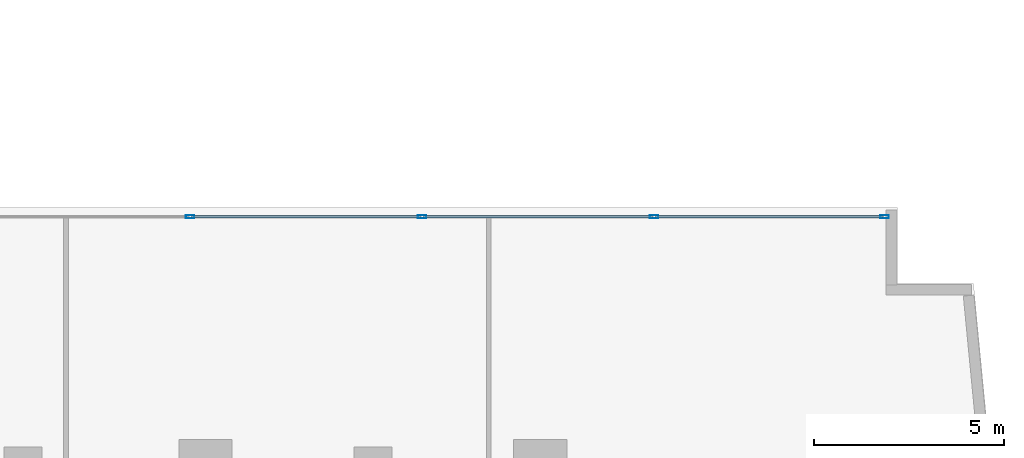
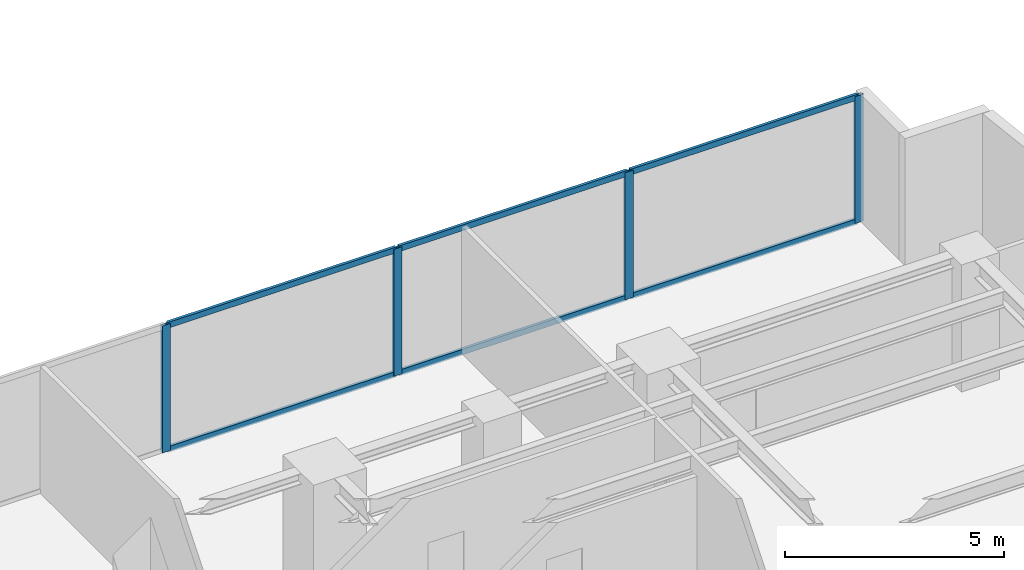
# One storey, part 15 of 28: 10 members, 1 element without a shape of its own.
"""IFC4 building model written with IfcOpenShell, lengths in metres."""

import ifcopenshell
import ifcopenshell.guid

model = None  # the IFC model being written
_history = None  # IfcOwnerHistory: only IFC2X3 demands one
_inside = {}  # id of a spatial element -> (the spatial element, [elements in it])
_under = {}  # id of a project, library or spatial element -> (it, [spatial elements below it])
_declared = {}  # id of a project -> (the project, [libraries it declares])
_typed = {}  # id of a type object -> (the type object, [elements of that type])
_made_of = {}  # id of a material, layer set ... -> (it, [elements and type objects made of it])


def new_model(schema):
    """Start an empty IFC model of exactly this schema.

    Asked for "IFC4X3", IfcOpenShell would pick the latest addendum, in which some entities
    have other attributes; the version numbers below select the first issue.
    IFC2X3 requires an IfcOwnerHistory on every rooted entity: one is made here for all.
    """
    global model, _history
    if schema == "IFC4X3":
        model = ifcopenshell.file(schema_version=(4, 3, 0, 0))
    else:
        model = ifcopenshell.file(schema=schema)
    _inside.clear()
    _under.clear()
    _declared.clear()
    _typed.clear()
    _made_of.clear()
    _history = None
    if model.schema == "IFC2X3":
        org = make("IfcOrganization", Name="unknown")
        user = make(
            "IfcPersonAndOrganization",
            ThePerson=make("IfcPerson", FamilyName="unknown"),
            TheOrganization=org,
        )
        app = make(
            "IfcApplication",
            ApplicationDeveloper=org,
            Version="unknown",
            ApplicationFullName="unknown",
            ApplicationIdentifier="unknown",
        )
        _history = make(
            "IfcOwnerHistory",
            OwningUser=user,
            OwningApplication=app,
            ChangeAction="ADDED",
            CreationDate=0,
        )
    return model


def make(cls, **values):
    """One entity of the class cls with the attributes given. An attribute that is None is left unset."""
    return model.create_entity(
        cls, **{name: value for name, value in values.items() if value is not None}
    )


def rooted(cls, **values):
    """An entity with a GlobalId (a new one), such as an element, a storey or a relation."""
    return make(cls, GlobalId=ifcopenshell.guid.new(), OwnerHistory=_history, **values)


def si_unit(unit_type, name, prefix=None):
    """IfcSIUnit, for example si_unit("LENGTHUNIT", "METRE", prefix="MILLI")."""
    return make("IfcSIUnit", UnitType=unit_type, Prefix=prefix, Name=name)


def assignment(units):
    """IfcUnitAssignment: the units of a project."""
    return None if units is None else make("IfcUnitAssignment", Units=units)


def point(xyz):
    """IfcCartesianPoint."""
    return None if xyz is None else make("IfcCartesianPoint", Coordinates=xyz)


def direction(xyz):
    """IfcDirection."""
    return None if xyz is None else make("IfcDirection", DirectionRatios=xyz)


def frame(location, z_axis=None, x_axis=None):
    """IfcAxis2Placement3D, a coordinate frame: its origin and axes. An axis left out is left unset."""
    return make(
        "IfcAxis2Placement3D",
        Location=point(location),
        Axis=direction(z_axis),
        RefDirection=direction(x_axis),
    )


def frame_2d(location, x_axis=None):
    """IfcAxis2Placement2D, a coordinate frame in the plane: its origin and x axis."""
    return make(
        "IfcAxis2Placement2D", Location=point(location), RefDirection=direction(x_axis)
    )


def origin():
    """The frame at (0, 0, 0) with its axes left unset."""
    return frame((0.0, 0.0, 0.0))


def origin_with_axes():
    """The frame at (0, 0, 0) with the z axis (0, 0, 1) and the x axis (1, 0, 0) written out."""
    return frame((0.0, 0.0, 0.0), z_axis=(0.0, 0.0, 1.0), x_axis=(1.0, 0.0, 0.0))


def origin_2d():
    """The frame at (0, 0) in the plane with its x axis left unset."""
    return frame_2d((0.0, 0.0))


def place(relative_to, where):
    """IfcLocalPlacement: puts the frame where relative to a parent placement (None: the world)."""
    return make(
        "IfcLocalPlacement", PlacementRelTo=relative_to, RelativePlacement=where
    )


def context(
    kind, dimensions, precision=None, world=None, true_north=None, identifier=None
):
    """IfcGeometricRepresentationContext, for example the 3D "Model" context."""
    return make(
        "IfcGeometricRepresentationContext",
        ContextIdentifier=identifier,
        ContextType=kind,
        CoordinateSpaceDimension=dimensions,
        Precision=precision,
        WorldCoordinateSystem=world,
        TrueNorth=true_north,
    )


def subcontext(parent, identifier, kind, view, scale=None):
    """IfcGeometricRepresentationSubContext, for example "Body" below "Model"."""
    return make(
        "IfcGeometricRepresentationSubContext",
        ContextIdentifier=identifier,
        ContextType=kind,
        ParentContext=parent,
        TargetScale=scale,
        TargetView=view,
    )


def project(units=None, contexts=None):
    """IfcProject with its units and contexts."""
    return rooted(
        "IfcProject",
        Name="project",
        RepresentationContexts=contexts,
        UnitsInContext=assignment(units),
    )


def spatial(cls, under=None, at=None, **own):
    """A site, building, storey or space (cls), placed at a placement, below another one or the project."""
    s = rooted(cls, ObjectPlacement=at, **own)
    if under is not None:
        _under.setdefault(under.id(), (under, []))[1].append(s)
    return s


def profile(cls, at=None, kind="AREA", **sizes):
    """A parametric profile (cls). Its sizes go by their IFC names, for example OverallWidth=200.0."""
    return make(cls, ProfileType=kind, Position=at, **sizes)


def hollow_rectangle(**sizes):
    """IfcRectangleHollowProfileDef."""
    return profile("IfcRectangleHollowProfileDef", **sizes)


def extrude(swept, where, along, depth):
    """IfcExtrudedAreaSolid: the profile swept, set in the frame where, extruded along a direction by depth."""
    return make(
        "IfcExtrudedAreaSolid",
        SweptArea=swept,
        Position=where,
        ExtrudedDirection=direction(along),
        Depth=depth,
    )


def shape(context_of_items, identifier, shape_type, items):
    """IfcShapeRepresentation: the items that make up one representation, for example the "Body"."""
    return make(
        "IfcShapeRepresentation",
        ContextOfItems=context_of_items,
        RepresentationIdentifier=identifier,
        RepresentationType=shape_type,
        Items=items,
    )


def source(mapping_origin, context_of_items, identifier, shape_type, items):
    """IfcRepresentationMap: a shape defined once, which mapped items show again and again."""
    return make(
        "IfcRepresentationMap",
        MappingOrigin=mapping_origin,
        MappedRepresentation=shape(context_of_items, identifier, shape_type, items),
    )


def transform(
    local_origin,
    x_axis=None,
    y_axis=None,
    z_axis=None,
    scale=None,
    scale2=None,
    scale3=None,
    uniform=True,
):
    """IfcCartesianTransformationOperator3D, or its non-uniform kind. x_axis, y_axis, z_axis: its Axis1, 2, 3."""
    if uniform:
        return make(
            "IfcCartesianTransformationOperator3D",
            Axis1=direction(x_axis),
            Axis2=direction(y_axis),
            LocalOrigin=point(local_origin),
            Scale=scale,
            Axis3=direction(z_axis),
        )
    return make(
        "IfcCartesianTransformationOperator3DnonUniform",
        Axis1=direction(x_axis),
        Axis2=direction(y_axis),
        LocalOrigin=point(local_origin),
        Scale=scale,
        Axis3=direction(z_axis),
        Scale2=scale2,
        Scale3=scale3,
    )


def mapped(mapping_source, mapping_target):
    """IfcMappedItem: shows the shape of a source again, moved by a transform."""
    return make(
        "IfcMappedItem", MappingSource=mapping_source, MappingTarget=mapping_target
    )


def material(Name=None, Category=None):
    """IfcMaterial."""
    return make("IfcMaterial", Name=Name, Category=Category)


def layer(
    of_material, thickness, ventilated=None, Name=None, Category=None, Priority=None
):
    """IfcMaterialLayer: one layer of a wall or slab, of a material (None: an air gap)."""
    return make(
        "IfcMaterialLayer",
        Material=of_material,
        LayerThickness=thickness,
        IsVentilated=ventilated,
        Name=Name,
        Category=Category,
        Priority=Priority,
    )


def layer_set(layers, Name=None):
    """IfcMaterialLayerSet."""
    return make("IfcMaterialLayerSet", MaterialLayers=layers, LayerSetName=Name)


def material_profile(
    of_material, cross_section, Name=None, Category=None, Priority=None
):
    """IfcMaterialProfile: a cross section and its material."""
    return make(
        "IfcMaterialProfile",
        Name=Name,
        Material=of_material,
        Profile=cross_section,
        Priority=Priority,
        Category=Category,
    )


def profile_set(profiles, Name=None, composite=None):
    """IfcMaterialProfileSet."""
    return make(
        "IfcMaterialProfileSet",
        Name=Name,
        MaterialProfiles=profiles,
        CompositeProfile=composite,
    )


def made_of(thing, what):
    """Note that an element or type object is made of a material, layer set ...; save() writes the relation."""
    if what is not None:
        _made_of.setdefault(what.id(), (what, []))[1].append(thing)
    return thing


def type_object(cls, material=None, **own):
    """A type object (cls), such as IfcWallType, which elements share."""
    return made_of(rooted(cls, **own), material)


def element(
    cls,
    number,
    at=None,
    inside=None,
    cuts=None,
    type_object=None,
    material=None,
    context=None,
    identifier="Body",
    shape_type=None,
    held_by="IfcProductDefinitionShape",
    body=None,
    shapes=None,
    **own,
):
    """One element of the class cls, such as IfcWall. Its Tag is "e" and its number.

    at: its placement. inside: the storey or other place that contains it. cuts: it is an
    opening in that element (IfcRelVoidsElement). A single representation is given by context,
    identifier, shape_type and body (its items); several are given by shapes. held_by: the class
    of the entity that holds the representations. save() writes the other relations.
    """
    e = rooted(cls, Tag="e%d" % number, ObjectPlacement=at, **own)
    if body is not None:
        shapes = [shape(context, identifier, shape_type, body)]
    if shapes is not None:
        e.Representation = make(held_by, Representations=shapes)
    if inside is not None:
        _inside.setdefault(inside.id(), (inside, []))[1].append(e)
    if cuts is not None:
        rooted(
            "IfcRelVoidsElement", RelatingBuildingElement=cuts, RelatedOpeningElement=e
        )
    if type_object is not None:
        _typed.setdefault(type_object.id(), (type_object, []))[1].append(e)
    return made_of(e, material)


def aggregate(whole, parts):
    """IfcRelAggregates: a whole, such as a stair, and the parts it consists of."""
    return rooted("IfcRelAggregates", RelatingObject=whole, RelatedObjects=parts)


def save(model, path):
    """Write the relations noted so far, then the file.

    IfcRelAggregates (storeys below a building ...), IfcRelContainedInSpatialStructure (elements
    in a storey), IfcRelDefinesByType, IfcRelAssociatesMaterial and IfcRelDeclares: one each for
    every whole, place, type object, material and project.
    """
    for whole, parts in _under.values():
        aggregate(whole, parts)
    for where, things in _inside.values():
        rooted(
            "IfcRelContainedInSpatialStructure",
            RelatedElements=things,
            RelatingStructure=where,
        )
    for kind, things in _typed.values():
        rooted("IfcRelDefinesByType", RelatedObjects=things, RelatingType=kind)
    for what, things in _made_of.values():
        rooted("IfcRelAssociatesMaterial", RelatedObjects=things, RelatingMaterial=what)
    for by, libraries in _declared.values():
        rooted("IfcRelDeclares", RelatingContext=by, RelatedDefinitions=libraries)
    model.write(path)


model = new_model("IFC4")

# Units and contexts
model_context = context("Model", 3, precision=1e-05, world=origin(), true_north=direction((0.0, 1.0)))
body_context = subcontext(model_context, "Body", "Model", "MODEL_VIEW")
ifc_project = project(units=[si_unit("LENGTHUNIT", "METRE"), si_unit("AREAUNIT", "SQUARE_METRE"), si_unit("VOLUMEUNIT", "CUBIC_METRE"), si_unit("PLANEANGLEUNIT", "RADIAN"), si_unit("MASSUNIT", "GRAM", prefix="KILO")], contexts=[model_context])

# Site, building, storey
site_placement = place(None, origin())
site = spatial("IfcSite", under=ifc_project, at=site_placement, CompositionType="ELEMENT")
building_placement = place(site_placement, origin())
building = spatial("IfcBuilding", under=site, at=building_placement, Name="Kolvaren Waterfront Exchange", CompositionType="ELEMENT")
storey_placement = place(building_placement, frame((0.0, 0.0, 114.5)))
storey = spatial("IfcBuildingStorey", under=building, at=storey_placement, Name="L29", CompositionType="ELEMENT", Elevation=114.5)

# Curtain wall, members
ifc_material_1 = material(Name="Anodised bronze aluminium 6063-T6", Category="aluminium")
ifc_layer = layer(ifc_material_1, 0.219970703125, Name="Anodised bronze aluminium 6063-T6")
ifc_layer_set = layer_set([ifc_layer], Name="Anodised bronze aluminium 6063-T6")
curtain_wall_type = type_object("IfcCurtainWallType", Name="ARC-CW-SYS1", PredefinedType="USERDEFINED", material=ifc_layer_set)
curtain_wall_placement = place(storey_placement, origin())
curtain_wall = element("IfcCurtainWall", 1, at=curtain_wall_placement, inside=storey, type_object=curtain_wall_type, Name="L29 stick curtain wall CW1 (CW-L29-EN)", ObjectType="STICK CURTAIN WALL", PredefinedType="USERDEFINED")
ifc_material_2 = material(Name="Anodised aluminium 6063-T6", Category="aluminium")
ifc_material_profile_1 = material_profile(ifc_material_2, hollow_rectangle(XDim=0.080078125, YDim=0.219970703125, WallThickness=0.0048828125, at=origin_2d()), Name="ALU-MUL-220x80x5")
ifc_profile_set_1 = profile_set([ifc_material_profile_1], Name="Anodised aluminium 6063-T6")
member_type_1 = type_object("IfcMemberType", Name="ARC-CWM-220", PredefinedType="MULLION", material=ifc_profile_set_1)
shared_shape_1 = source(origin_with_axes(), body_context, "Body", "SweptSolid", [
    extrude(hollow_rectangle(XDim=0.080078125, YDim=0.219970703125, WallThickness=0.0048828125, at=origin_2d()), origin(), (0.0, 0.0, 1.0), 3.5400390625),
])
member_1_placement = place(storey_placement, frame((36.392578125, 23.9599609375, 0.0), z_axis=(0.0, 0.0, 1.0), x_axis=(0.0, 1.0, 0.0)))
member_1 = element("IfcMember", 2, at=member_1_placement, type_object=member_type_1, Name="CW1 mullion 2", PredefinedType="MULLION", context=body_context, shape_type="MappedRepresentation", body=[
    mapped(shared_shape_1, transform((0.0, 0.0, 0.0), x_axis=(1.0, 0.0, 0.0), y_axis=(0.0, 1.0, 0.0), z_axis=(0.0, 0.0, 1.0), scale=1.0)),
])
member_2_placement = place(storey_placement, frame((42.4951171875, 23.9599609375, 0.0), z_axis=(0.0, 0.0, 1.0), x_axis=(0.0, 1.0, 0.0)))
member_2 = element("IfcMember", 3, at=member_2_placement, type_object=member_type_1, Name="CW1 mullion 3", PredefinedType="MULLION", context=body_context, shape_type="MappedRepresentation", body=[
    mapped(shared_shape_1, transform((0.0, 0.0, 0.0), x_axis=(1.0, 0.0, 0.0), y_axis=(0.0, 1.0, 0.0), z_axis=(0.0, 0.0, 1.0), scale=1.0)),
])
member_3_placement = place(storey_placement, frame((48.597412109375, 23.9599609375, 0.0), z_axis=(0.0, 0.0, 1.0), x_axis=(0.0, 1.0, 0.0)))
member_3 = element("IfcMember", 4, at=member_3_placement, type_object=member_type_1, Name="CW1 mullion 4", PredefinedType="MULLION", context=body_context, shape_type="MappedRepresentation", body=[
    mapped(shared_shape_1, transform((0.0, 0.0, 0.0), x_axis=(1.0, 0.0, 0.0), y_axis=(0.0, 1.0, 0.0), z_axis=(0.0, 0.0, 1.0), scale=1.0)),
])
member_4_placement = place(storey_placement, frame((54.659912109375, 23.9599609375, 0.0), z_axis=(0.0, 0.0, 1.0), x_axis=(0.0, 1.0, 0.0)))
member_4 = element("IfcMember", 5, at=member_4_placement, type_object=member_type_1, Name="CW1 mullion 5", PredefinedType="MULLION", context=body_context, shape_type="MappedRepresentation", body=[
    mapped(shared_shape_1, transform((0.0, 0.0, 0.0), x_axis=(1.0, 0.0, 0.0), y_axis=(0.0, 1.0, 0.0), z_axis=(0.0, 0.0, 1.0), scale=1.0)),
])
ifc_material_profile_2 = material_profile(ifc_material_2, hollow_rectangle(XDim=0.074951171875, YDim=0.159912109375, WallThickness=0.00439453125, at=origin_2d()), Name="ALU-TRN-160x75x4.5")
ifc_profile_set_2 = profile_set([ifc_material_profile_2], Name="Anodised aluminium 6063-T6")
member_type_2 = type_object("IfcMemberType", Name="ARC-CWT-160", PredefinedType="USERDEFINED", material=ifc_profile_set_2)
shared_shape_2 = source(origin_with_axes(), body_context, "Body", "SweptSolid", [
    extrude(hollow_rectangle(XDim=0.074951171875, YDim=0.159912109375, WallThickness=0.00439453125, at=origin_2d()), origin(), (0.0, 0.0, 1.0), 6.0224609375),
])
member_5_placement = place(storey_placement, frame((36.4326171875, 23.9599609375, 0.03759765625), z_axis=(1.0, 0.0, 0.0), x_axis=(0.0, 1.0, 0.0)))
member_5 = element("IfcMember", 6, at=member_5_placement, type_object=member_type_2, Name="CW1 transom 2.1", ObjectType="TRANSOM", PredefinedType="USERDEFINED", context=body_context, shape_type="MappedRepresentation", body=[
    mapped(shared_shape_2, transform((0.0, 0.0, 0.0), x_axis=(1.0, 0.0, 0.0), y_axis=(0.0, 1.0, 0.0), z_axis=(0.0, 0.0, 1.0), scale=1.0)),
])
member_6_placement = place(storey_placement, frame((36.4326171875, 23.9599609375, 3.50244140625), z_axis=(1.0, 0.0, 0.0), x_axis=(0.0, 1.0, 0.0)))
member_6 = element("IfcMember", 7, at=member_6_placement, type_object=member_type_2, Name="CW1 transom 2.2", ObjectType="TRANSOM", PredefinedType="USERDEFINED", context=body_context, shape_type="MappedRepresentation", body=[
    mapped(shared_shape_2, transform((0.0, 0.0, 0.0), x_axis=(1.0, 0.0, 0.0), y_axis=(0.0, 1.0, 0.0), z_axis=(0.0, 0.0, 1.0), scale=1.0)),
])
shared_shape_3 = source(origin_with_axes(), body_context, "Body", "SweptSolid", [
    extrude(hollow_rectangle(XDim=0.074951171875, YDim=0.159912109375, WallThickness=0.00439453125, at=origin_2d()), origin(), (0.0, 0.0, 1.0), 6.022705078125),
])
member_7_placement = place(storey_placement, frame((42.534912109375, 23.9599609375, 0.03759765625), z_axis=(1.0, 0.0, 0.0), x_axis=(0.0, 1.0, 0.0)))
member_7 = element("IfcMember", 8, at=member_7_placement, type_object=member_type_2, Name="CW1 transom 3.1", ObjectType="TRANSOM", PredefinedType="USERDEFINED", context=body_context, shape_type="MappedRepresentation", body=[
    mapped(shared_shape_3, transform((0.0, 0.0, 0.0), x_axis=(1.0, 0.0, 0.0), y_axis=(0.0, 1.0, 0.0), z_axis=(0.0, 0.0, 1.0), scale=1.0)),
])
member_8_placement = place(storey_placement, frame((42.534912109375, 23.9599609375, 3.50244140625), z_axis=(1.0, 0.0, 0.0), x_axis=(0.0, 1.0, 0.0)))
member_8 = element("IfcMember", 9, at=member_8_placement, type_object=member_type_2, Name="CW1 transom 3.2", ObjectType="TRANSOM", PredefinedType="USERDEFINED", context=body_context, shape_type="MappedRepresentation", body=[
    mapped(shared_shape_3, transform((0.0, 0.0, 0.0), x_axis=(1.0, 0.0, 0.0), y_axis=(0.0, 1.0, 0.0), z_axis=(0.0, 0.0, 1.0), scale=1.0)),
])
shared_shape_4 = source(origin_with_axes(), body_context, "Body", "SweptSolid", [
    extrude(hollow_rectangle(XDim=0.074951171875, YDim=0.159912109375, WallThickness=0.00439453125, at=origin_2d()), origin(), (0.0, 0.0, 1.0), 5.982666015625),
])
member_9_placement = place(storey_placement, frame((48.637451171875, 23.9599609375, 0.03759765625), z_axis=(1.0, 0.0, 0.0), x_axis=(0.0, 1.0, 0.0)))
member_9 = element("IfcMember", 10, at=member_9_placement, type_object=member_type_2, Name="CW1 transom 4.1", ObjectType="TRANSOM", PredefinedType="USERDEFINED", context=body_context, shape_type="MappedRepresentation", body=[
    mapped(shared_shape_4, transform((0.0, 0.0, 0.0), x_axis=(1.0, 0.0, 0.0), y_axis=(0.0, 1.0, 0.0), z_axis=(0.0, 0.0, 1.0), scale=1.0)),
])
member_10_placement = place(storey_placement, frame((48.637451171875, 23.9599609375, 3.50244140625), z_axis=(1.0, 0.0, 0.0), x_axis=(0.0, 1.0, 0.0)))
member_10 = element("IfcMember", 11, at=member_10_placement, type_object=member_type_2, Name="CW1 transom 4.2", ObjectType="TRANSOM", PredefinedType="USERDEFINED", context=body_context, shape_type="MappedRepresentation", body=[
    mapped(shared_shape_4, transform((0.0, 0.0, 0.0), x_axis=(1.0, 0.0, 0.0), y_axis=(0.0, 1.0, 0.0), z_axis=(0.0, 0.0, 1.0), scale=1.0)),
])
aggregate(curtain_wall, [member_1, member_2, member_3, member_4, member_5, member_6, member_7, member_8, member_9, member_10])

save(model, "model.ifc")
